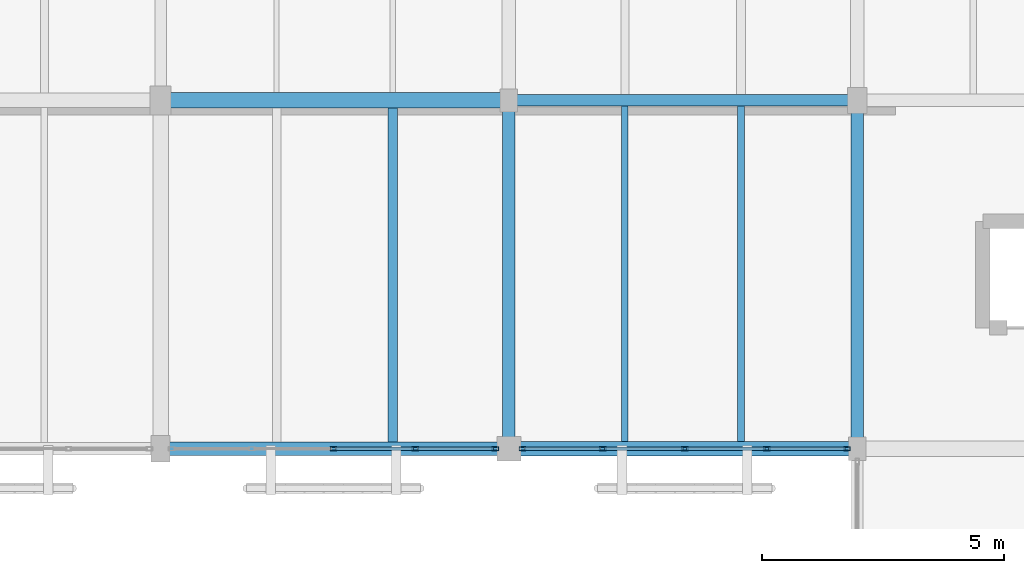
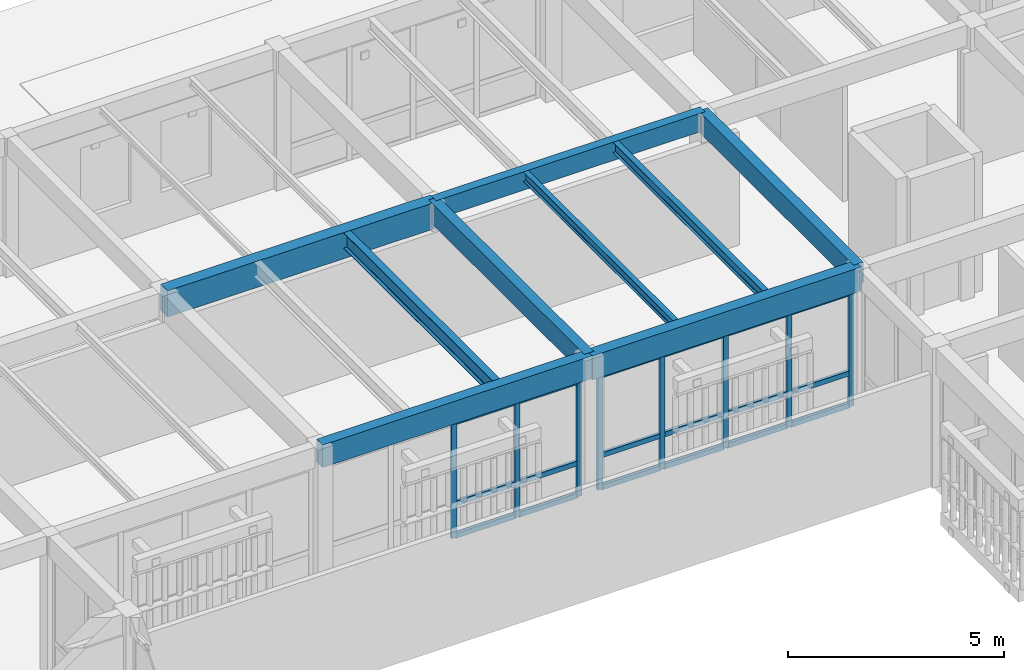
# One storey, part 66 of 112: 26 members, 9 beams, 2 elements without a shape of their own.
"""IFC4 building model written with IfcOpenShell, lengths in metres."""

import ifcopenshell
import ifcopenshell.guid

model = None  # the IFC model being written
_history = None  # IfcOwnerHistory: only IFC2X3 demands one
_inside = {}  # id of a spatial element -> (the spatial element, [elements in it])
_under = {}  # id of a project, library or spatial element -> (it, [spatial elements below it])
_declared = {}  # id of a project -> (the project, [libraries it declares])
_typed = {}  # id of a type object -> (the type object, [elements of that type])
_made_of = {}  # id of a material, layer set ... -> (it, [elements and type objects made of it])


def new_model(schema):
    """Start an empty IFC model of exactly this schema.

    Asked for "IFC4X3", IfcOpenShell would pick the latest addendum, in which some entities
    have other attributes; the version numbers below select the first issue.
    IFC2X3 requires an IfcOwnerHistory on every rooted entity: one is made here for all.
    """
    global model, _history
    if schema == "IFC4X3":
        model = ifcopenshell.file(schema_version=(4, 3, 0, 0))
    else:
        model = ifcopenshell.file(schema=schema)
    _inside.clear()
    _under.clear()
    _declared.clear()
    _typed.clear()
    _made_of.clear()
    _history = None
    if model.schema == "IFC2X3":
        org = make("IfcOrganization", Name="unknown")
        user = make(
            "IfcPersonAndOrganization",
            ThePerson=make("IfcPerson", FamilyName="unknown"),
            TheOrganization=org,
        )
        app = make(
            "IfcApplication",
            ApplicationDeveloper=org,
            Version="unknown",
            ApplicationFullName="unknown",
            ApplicationIdentifier="unknown",
        )
        _history = make(
            "IfcOwnerHistory",
            OwningUser=user,
            OwningApplication=app,
            ChangeAction="ADDED",
            CreationDate=0,
        )
    return model


def make(cls, **values):
    """One entity of the class cls with the attributes given. An attribute that is None is left unset."""
    return model.create_entity(
        cls, **{name: value for name, value in values.items() if value is not None}
    )


def rooted(cls, **values):
    """An entity with a GlobalId (a new one), such as an element, a storey or a relation."""
    return make(cls, GlobalId=ifcopenshell.guid.new(), OwnerHistory=_history, **values)


def si_unit(unit_type, name, prefix=None):
    """IfcSIUnit, for example si_unit("LENGTHUNIT", "METRE", prefix="MILLI")."""
    return make("IfcSIUnit", UnitType=unit_type, Prefix=prefix, Name=name)


def assignment(units):
    """IfcUnitAssignment: the units of a project."""
    return None if units is None else make("IfcUnitAssignment", Units=units)


def point(xyz):
    """IfcCartesianPoint."""
    return None if xyz is None else make("IfcCartesianPoint", Coordinates=xyz)


def direction(xyz):
    """IfcDirection."""
    return None if xyz is None else make("IfcDirection", DirectionRatios=xyz)


def frame(location, z_axis=None, x_axis=None):
    """IfcAxis2Placement3D, a coordinate frame: its origin and axes. An axis left out is left unset."""
    return make(
        "IfcAxis2Placement3D",
        Location=point(location),
        Axis=direction(z_axis),
        RefDirection=direction(x_axis),
    )


def frame_2d(location, x_axis=None):
    """IfcAxis2Placement2D, a coordinate frame in the plane: its origin and x axis."""
    return make(
        "IfcAxis2Placement2D", Location=point(location), RefDirection=direction(x_axis)
    )


def origin():
    """The frame at (0, 0, 0) with its axes left unset."""
    return frame((0.0, 0.0, 0.0))


def origin_2d():
    """The frame at (0, 0) in the plane with its x axis left unset."""
    return frame_2d((0.0, 0.0))


def place(relative_to, where):
    """IfcLocalPlacement: puts the frame where relative to a parent placement (None: the world)."""
    return make(
        "IfcLocalPlacement", PlacementRelTo=relative_to, RelativePlacement=where
    )


def context(
    kind, dimensions, precision=None, world=None, true_north=None, identifier=None
):
    """IfcGeometricRepresentationContext, for example the 3D "Model" context."""
    return make(
        "IfcGeometricRepresentationContext",
        ContextIdentifier=identifier,
        ContextType=kind,
        CoordinateSpaceDimension=dimensions,
        Precision=precision,
        WorldCoordinateSystem=world,
        TrueNorth=true_north,
    )


def subcontext(parent, identifier, kind, view, scale=None):
    """IfcGeometricRepresentationSubContext, for example "Body" below "Model"."""
    return make(
        "IfcGeometricRepresentationSubContext",
        ContextIdentifier=identifier,
        ContextType=kind,
        ParentContext=parent,
        TargetScale=scale,
        TargetView=view,
    )


def project(units=None, contexts=None):
    """IfcProject with its units and contexts."""
    return rooted(
        "IfcProject",
        Name="project",
        RepresentationContexts=contexts,
        UnitsInContext=assignment(units),
    )


def spatial(cls, under=None, at=None, **own):
    """A site, building, storey or space (cls), placed at a placement, below another one or the project."""
    s = rooted(cls, ObjectPlacement=at, **own)
    if under is not None:
        _under.setdefault(under.id(), (under, []))[1].append(s)
    return s


def profile(cls, at=None, kind="AREA", **sizes):
    """A parametric profile (cls). Its sizes go by their IFC names, for example OverallWidth=200.0."""
    return make(cls, ProfileType=kind, Position=at, **sizes)


def rectangle(**sizes):
    """IfcRectangleProfileDef."""
    return profile("IfcRectangleProfileDef", **sizes)


def hollow_rectangle(**sizes):
    """IfcRectangleHollowProfileDef."""
    return profile("IfcRectangleHollowProfileDef", **sizes)


def i_section(**sizes):
    """IfcIShapeProfileDef."""
    return profile("IfcIShapeProfileDef", **sizes)


def extrude(swept, where, along, depth):
    """IfcExtrudedAreaSolid: the profile swept, set in the frame where, extruded along a direction by depth."""
    return make(
        "IfcExtrudedAreaSolid",
        SweptArea=swept,
        Position=where,
        ExtrudedDirection=direction(along),
        Depth=depth,
    )


def shape(context_of_items, identifier, shape_type, items):
    """IfcShapeRepresentation: the items that make up one representation, for example the "Body"."""
    return make(
        "IfcShapeRepresentation",
        ContextOfItems=context_of_items,
        RepresentationIdentifier=identifier,
        RepresentationType=shape_type,
        Items=items,
    )


def material(Name=None, Category=None):
    """IfcMaterial."""
    return make("IfcMaterial", Name=Name, Category=Category)


def layer(
    of_material, thickness, ventilated=None, Name=None, Category=None, Priority=None
):
    """IfcMaterialLayer: one layer of a wall or slab, of a material (None: an air gap)."""
    return make(
        "IfcMaterialLayer",
        Material=of_material,
        LayerThickness=thickness,
        IsVentilated=ventilated,
        Name=Name,
        Category=Category,
        Priority=Priority,
    )


def layer_set(layers, Name=None):
    """IfcMaterialLayerSet."""
    return make("IfcMaterialLayerSet", MaterialLayers=layers, LayerSetName=Name)


def material_profile(
    of_material, cross_section, Name=None, Category=None, Priority=None
):
    """IfcMaterialProfile: a cross section and its material."""
    return make(
        "IfcMaterialProfile",
        Name=Name,
        Material=of_material,
        Profile=cross_section,
        Priority=Priority,
        Category=Category,
    )


def profile_set(profiles, Name=None, composite=None):
    """IfcMaterialProfileSet."""
    return make(
        "IfcMaterialProfileSet",
        Name=Name,
        MaterialProfiles=profiles,
        CompositeProfile=composite,
    )


def made_of(thing, what):
    """Note that an element or type object is made of a material, layer set ...; save() writes the relation."""
    if what is not None:
        _made_of.setdefault(what.id(), (what, []))[1].append(thing)
    return thing


def type_object(cls, material=None, **own):
    """A type object (cls), such as IfcWallType, which elements share."""
    return made_of(rooted(cls, **own), material)


def element(
    cls,
    number,
    at=None,
    inside=None,
    cuts=None,
    type_object=None,
    material=None,
    context=None,
    identifier="Body",
    shape_type=None,
    held_by="IfcProductDefinitionShape",
    body=None,
    shapes=None,
    **own,
):
    """One element of the class cls, such as IfcWall. Its Tag is "e" and its number.

    at: its placement. inside: the storey or other place that contains it. cuts: it is an
    opening in that element (IfcRelVoidsElement). A single representation is given by context,
    identifier, shape_type and body (its items); several are given by shapes. held_by: the class
    of the entity that holds the representations. save() writes the other relations.
    """
    e = rooted(cls, Tag="e%d" % number, ObjectPlacement=at, **own)
    if body is not None:
        shapes = [shape(context, identifier, shape_type, body)]
    if shapes is not None:
        e.Representation = make(held_by, Representations=shapes)
    if inside is not None:
        _inside.setdefault(inside.id(), (inside, []))[1].append(e)
    if cuts is not None:
        rooted(
            "IfcRelVoidsElement", RelatingBuildingElement=cuts, RelatedOpeningElement=e
        )
    if type_object is not None:
        _typed.setdefault(type_object.id(), (type_object, []))[1].append(e)
    return made_of(e, material)


def aggregate(whole, parts):
    """IfcRelAggregates: a whole, such as a stair, and the parts it consists of."""
    return rooted("IfcRelAggregates", RelatingObject=whole, RelatedObjects=parts)


def save(model, path):
    """Write the relations noted so far, then the file.

    IfcRelAggregates (storeys below a building ...), IfcRelContainedInSpatialStructure (elements
    in a storey), IfcRelDefinesByType, IfcRelAssociatesMaterial and IfcRelDeclares: one each for
    every whole, place, type object, material and project.
    """
    for whole, parts in _under.values():
        aggregate(whole, parts)
    for where, things in _inside.values():
        rooted(
            "IfcRelContainedInSpatialStructure",
            RelatedElements=things,
            RelatingStructure=where,
        )
    for kind, things in _typed.values():
        rooted("IfcRelDefinesByType", RelatedObjects=things, RelatingType=kind)
    for what, things in _made_of.values():
        rooted("IfcRelAssociatesMaterial", RelatedObjects=things, RelatingMaterial=what)
    for by, libraries in _declared.values():
        rooted("IfcRelDeclares", RelatingContext=by, RelatedDefinitions=libraries)
    model.write(path)


model = new_model("IFC4")

# Units and contexts
model_context = context("Model", 3, precision=1e-05, world=origin(), true_north=direction((0.0, 1.0)))
body_context = subcontext(model_context, "Body", "Model", "MODEL_VIEW")
ifc_project = project(units=[si_unit("LENGTHUNIT", "METRE"), si_unit("AREAUNIT", "SQUARE_METRE"), si_unit("VOLUMEUNIT", "CUBIC_METRE"), si_unit("PLANEANGLEUNIT", "RADIAN"), si_unit("MASSUNIT", "GRAM", prefix="KILO")], contexts=[model_context])

# Site, building, storey
site_placement = place(None, origin())
site = spatial("IfcSite", under=ifc_project, at=site_placement, CompositionType="ELEMENT")
building_placement = place(site_placement, origin())
building = spatial("IfcBuilding", under=site, at=building_placement, Name="Mazaris Harbour Polytechnic", CompositionType="ELEMENT")
storey_placement = place(building_placement, frame((0.0, 0.0, 13.800048828125)))
storey = spatial("IfcBuildingStorey", under=building, at=storey_placement, Name="L03", CompositionType="ELEMENT", Elevation=13.800048828125)

# Curtain wall, members
ifc_material_1 = material(Name="Anodised Bronze Aluminium and Low-E Glass", Category="aluminium")
ifc_layer = layer(ifc_material_1, 0.169921875, Name="Anodised Bronze Aluminium and Low-E Glass")
ifc_layer_set = layer_set([ifc_layer], Name="Anodised Bronze Aluminium and Low-E Glass")
curtain_wall_type = type_object("IfcCurtainWallType", Name="Studio North-Light Curtain Wall", PredefinedType="NOTDEFINED", material=ifc_layer_set)
curtain_wall_1_placement = place(storey_placement, origin())
curtain_wall_1 = element("IfcCurtainWall", 1, at=curtain_wall_1_placement, inside=storey, type_object=curtain_wall_type, Name="V5 L03 Curtain Wall 261", PredefinedType="NOTDEFINED")
ifc_material_2 = material(Name="Anodised Bronze Steel S355", Category="steel")
ifc_material_profile_1 = material_profile(ifc_material_2, hollow_rectangle(XDim=0.080078125, YDim=0.139892578125, WallThickness=0.00634765625, at=origin_2d()), Name="RHS 80x140x6.3")
ifc_profile_set_1 = profile_set([ifc_material_profile_1], Name="Anodised Bronze Steel S355")
member_type_1 = type_object("IfcMemberType", Name="Curtain Mullion RHS80x140", PredefinedType="MULLION", material=ifc_profile_set_1)
member_1_placement = place(storey_placement, frame((150.91796875, 86.39990234375, 0.0), z_axis=(0.0, 0.0, 1.0), x_axis=(0.0, -1.0, 0.0)))
member_1 = element("IfcMember", 2, at=member_1_placement, type_object=member_type_1, Name="CW-03 mullion 1", PredefinedType="MULLION", context=body_context, shape_type="SweptSolid", body=[
    extrude(hollow_rectangle(XDim=0.080078125, YDim=0.139892578125, WallThickness=0.00634765625, at=origin_2d()), origin(), (0.0, 0.0, 1.0), 3.284912109375),
])
member_2_placement = place(storey_placement, frame((149.2666015625, 86.39990234375, 0.0), z_axis=(0.0, 0.0, 1.0), x_axis=(0.0, -1.0, 0.0)))
member_2 = element("IfcMember", 3, at=member_2_placement, type_object=member_type_1, Name="CW-03 mullion 2", PredefinedType="MULLION", context=body_context, shape_type="SweptSolid", body=[
    extrude(hollow_rectangle(XDim=0.080078125, YDim=0.139892578125, WallThickness=0.00634765625, at=origin_2d()), origin(), (0.0, 0.0, 1.0), 3.284912109375),
])
member_3_placement = place(storey_placement, frame((147.574951171875, 86.39990234375, 0.0), z_axis=(0.0, 0.0, 1.0), x_axis=(0.0, -1.0, 0.0)))
member_3 = element("IfcMember", 4, at=member_3_placement, type_object=member_type_1, Name="CW-03 mullion 3", PredefinedType="MULLION", context=body_context, shape_type="SweptSolid", body=[
    extrude(hollow_rectangle(XDim=0.080078125, YDim=0.139892578125, WallThickness=0.00634765625, at=origin_2d()), origin(), (0.0, 0.0, 1.0), 3.284912109375),
])

curtain_wall_2_placement = place(storey_placement, origin())
curtain_wall_2 = element("IfcCurtainWall", 5, at=curtain_wall_2_placement, inside=storey, type_object=curtain_wall_type, Name="V5 L03 Curtain Wall 262", PredefinedType="NOTDEFINED")
member_4_placement = place(storey_placement, frame((158.18798828125, 86.39990234375, 0.0), z_axis=(0.0, 0.0, 1.0), x_axis=(0.0, -1.0, 0.0)))
member_4 = element("IfcMember", 6, at=member_4_placement, type_object=member_type_1, Name="CW-03 mullion 1", PredefinedType="MULLION", context=body_context, shape_type="SweptSolid", body=[
    extrude(hollow_rectangle(XDim=0.080078125, YDim=0.139892578125, WallThickness=0.00634765625, at=origin_2d()), origin(), (0.0, 0.0, 1.0), 3.244873046875),
])
member_5_placement = place(storey_placement, frame((156.531494140625, 86.39990234375, 0.0), z_axis=(0.0, 0.0, 1.0), x_axis=(0.0, -1.0, 0.0)))
member_5 = element("IfcMember", 7, at=member_5_placement, type_object=member_type_1, Name="CW-03 mullion 2", PredefinedType="MULLION", context=body_context, shape_type="SweptSolid", body=[
    extrude(hollow_rectangle(XDim=0.080078125, YDim=0.139892578125, WallThickness=0.00634765625, at=origin_2d()), origin(), (0.0, 0.0, 1.0), 3.244873046875),
])
member_6_placement = place(storey_placement, frame((154.8349609375, 86.39990234375, 0.0), z_axis=(0.0, 0.0, 1.0), x_axis=(0.0, -1.0, 0.0)))
member_6 = element("IfcMember", 8, at=member_6_placement, type_object=member_type_1, Name="CW-03 mullion 3", PredefinedType="MULLION", context=body_context, shape_type="SweptSolid", body=[
    extrude(hollow_rectangle(XDim=0.080078125, YDim=0.139892578125, WallThickness=0.00634765625, at=origin_2d()), origin(), (0.0, 0.0, 1.0), 3.244873046875),
])
member_7_placement = place(storey_placement, frame((153.138427734375, 86.39990234375, 0.0), z_axis=(0.0, 0.0, 1.0), x_axis=(0.0, -1.0, 0.0)))
member_7 = element("IfcMember", 9, at=member_7_placement, type_object=member_type_1, Name="CW-03 mullion 4", PredefinedType="MULLION", context=body_context, shape_type="SweptSolid", body=[
    extrude(hollow_rectangle(XDim=0.080078125, YDim=0.139892578125, WallThickness=0.00634765625, at=origin_2d()), origin(), (0.0, 0.0, 1.0), 3.244873046875),
])
member_8_placement = place(storey_placement, frame((151.48193359375, 86.39990234375, 0.0), z_axis=(0.0, 0.0, 1.0), x_axis=(0.0, -1.0, 0.0)))
member_8 = element("IfcMember", 10, at=member_8_placement, type_object=member_type_1, Name="CW-03 mullion 5", PredefinedType="MULLION", context=body_context, shape_type="SweptSolid", body=[
    extrude(hollow_rectangle(XDim=0.080078125, YDim=0.139892578125, WallThickness=0.00634765625, at=origin_2d()), origin(), (0.0, 0.0, 1.0), 3.244873046875),
])

# Member
ifc_material_3 = material(Name="Anodised Bronze Steel S355", Category="steel")
ifc_material_profile_2 = material_profile(ifc_material_3, hollow_rectangle(XDim=0.080078125, YDim=0.139892578125, WallThickness=0.00634765625, at=origin_2d()), Name="RHS 80x140x6.3")
ifc_profile_set_2 = profile_set([ifc_material_profile_2], Name="Anodised Bronze Steel S355")
member_type_2 = type_object("IfcMemberType", Name="Curtain Transom RHS80x140", PredefinedType="USERDEFINED", material=ifc_profile_set_2)
member_9_placement = place(storey_placement, frame((150.8779296875, 86.39990234375, 0.0400390625), z_axis=(-1.0, 0.0, 0.0), x_axis=(0.0, -1.0, 0.0)))
member_9 = element("IfcMember", 11, at=member_9_placement, type_object=member_type_2, Name="CW-03 transom 1.1", ObjectType="TRANSOM", PredefinedType="USERDEFINED", context=body_context, shape_type="SweptSolid", body=[
    extrude(hollow_rectangle(XDim=0.080078125, YDim=0.139892578125, WallThickness=0.00634765625, at=origin_2d()), origin(), (0.0, 0.0, 1.0), 1.571533203125),
])

member_10_placement = place(storey_placement, frame((150.8779296875, 86.39990234375, 0.949951171875), z_axis=(-1.0, 0.0, 0.0), x_axis=(0.0, -1.0, 0.0)))
member_10 = element("IfcMember", 12, at=member_10_placement, type_object=member_type_2, Name="CW-03 transom 1.2", ObjectType="TRANSOM", PredefinedType="USERDEFINED", context=body_context, shape_type="SweptSolid", body=[
    extrude(hollow_rectangle(XDim=0.080078125, YDim=0.139892578125, WallThickness=0.00634765625, at=origin_2d()), origin(), (0.0, 0.0, 1.0), 1.571533203125),
])

member_11_placement = place(storey_placement, frame((150.8779296875, 86.39990234375, 3.244873046875), z_axis=(-1.0, 0.0, 0.0), x_axis=(0.0, -1.0, 0.0)))
member_11 = element("IfcMember", 13, at=member_11_placement, type_object=member_type_2, Name="CW-03 transom 1.3", ObjectType="TRANSOM", PredefinedType="USERDEFINED", context=body_context, shape_type="SweptSolid", body=[
    extrude(hollow_rectangle(XDim=0.080078125, YDim=0.139892578125, WallThickness=0.00634765625, at=origin_2d()), origin(), (0.0, 0.0, 1.0), 1.571533203125),
])

member_12_placement = place(storey_placement, frame((149.2265625, 86.39990234375, 0.0400390625), z_axis=(-1.0, 0.0, 0.0), x_axis=(0.0, -1.0, 0.0)))
member_12 = element("IfcMember", 14, at=member_12_placement, type_object=member_type_2, Name="CW-03 transom 2.1", ObjectType="TRANSOM", PredefinedType="USERDEFINED", context=body_context, shape_type="SweptSolid", body=[
    extrude(hollow_rectangle(XDim=0.080078125, YDim=0.139892578125, WallThickness=0.00634765625, at=origin_2d()), origin(), (0.0, 0.0, 1.0), 1.611572265625),
])

member_13_placement = place(storey_placement, frame((149.2265625, 86.39990234375, 0.949951171875), z_axis=(-1.0, 0.0, 0.0), x_axis=(0.0, -1.0, 0.0)))
member_13 = element("IfcMember", 15, at=member_13_placement, type_object=member_type_2, Name="CW-03 transom 2.2", ObjectType="TRANSOM", PredefinedType="USERDEFINED", context=body_context, shape_type="SweptSolid", body=[
    extrude(hollow_rectangle(XDim=0.080078125, YDim=0.139892578125, WallThickness=0.00634765625, at=origin_2d()), origin(), (0.0, 0.0, 1.0), 1.611572265625),
])

member_14_placement = place(storey_placement, frame((149.2265625, 86.39990234375, 3.244873046875), z_axis=(-1.0, 0.0, 0.0), x_axis=(0.0, -1.0, 0.0)))
member_14 = element("IfcMember", 16, at=member_14_placement, type_object=member_type_2, Name="CW-03 transom 2.3", ObjectType="TRANSOM", PredefinedType="USERDEFINED", context=body_context, shape_type="SweptSolid", body=[
    extrude(hollow_rectangle(XDim=0.080078125, YDim=0.139892578125, WallThickness=0.00634765625, at=origin_2d()), origin(), (0.0, 0.0, 1.0), 1.611572265625),
])

aggregate(curtain_wall_1, [member_1, member_2, member_3, member_9, member_10, member_11, member_12, member_13, member_14])

member_15_placement = place(storey_placement, frame((158.14794921875, 86.39990234375, 0.0400390625), z_axis=(-1.0, 0.0, 0.0), x_axis=(0.0, -1.0, 0.0)))
member_15 = element("IfcMember", 17, at=member_15_placement, type_object=member_type_2, Name="CW-03 transom 1.1", ObjectType="TRANSOM", PredefinedType="USERDEFINED", context=body_context, shape_type="SweptSolid", body=[
    extrude(hollow_rectangle(XDim=0.080078125, YDim=0.139892578125, WallThickness=0.00634765625, at=origin_2d()), origin(), (0.0, 0.0, 1.0), 1.576416015625),
])

member_16_placement = place(storey_placement, frame((158.14794921875, 86.39990234375, 0.949951171875), z_axis=(-1.0, 0.0, 0.0), x_axis=(0.0, -1.0, 0.0)))
member_16 = element("IfcMember", 18, at=member_16_placement, type_object=member_type_2, Name="CW-03 transom 1.2", ObjectType="TRANSOM", PredefinedType="USERDEFINED", context=body_context, shape_type="SweptSolid", body=[
    extrude(hollow_rectangle(XDim=0.080078125, YDim=0.139892578125, WallThickness=0.00634765625, at=origin_2d()), origin(), (0.0, 0.0, 1.0), 1.576416015625),
])

member_17_placement = place(storey_placement, frame((158.14794921875, 86.39990234375, 3.204833984375), z_axis=(-1.0, 0.0, 0.0), x_axis=(0.0, -1.0, 0.0)))
member_17 = element("IfcMember", 19, at=member_17_placement, type_object=member_type_2, Name="CW-03 transom 1.3", ObjectType="TRANSOM", PredefinedType="USERDEFINED", context=body_context, shape_type="SweptSolid", body=[
    extrude(hollow_rectangle(XDim=0.080078125, YDim=0.139892578125, WallThickness=0.00634765625, at=origin_2d()), origin(), (0.0, 0.0, 1.0), 1.576416015625),
])

member_18_placement = place(storey_placement, frame((156.491455078125, 86.39990234375, 0.0400390625), z_axis=(-1.0, 0.0, 0.0), x_axis=(0.0, -1.0, 0.0)))
member_18 = element("IfcMember", 20, at=member_18_placement, type_object=member_type_2, Name="CW-03 transom 2.1", ObjectType="TRANSOM", PredefinedType="USERDEFINED", context=body_context, shape_type="SweptSolid", body=[
    extrude(hollow_rectangle(XDim=0.080078125, YDim=0.139892578125, WallThickness=0.00634765625, at=origin_2d()), origin(), (0.0, 0.0, 1.0), 1.616455078125),
])

member_19_placement = place(storey_placement, frame((156.491455078125, 86.39990234375, 0.949951171875), z_axis=(-1.0, 0.0, 0.0), x_axis=(0.0, -1.0, 0.0)))
member_19 = element("IfcMember", 21, at=member_19_placement, type_object=member_type_2, Name="CW-03 transom 2.2", ObjectType="TRANSOM", PredefinedType="USERDEFINED", context=body_context, shape_type="SweptSolid", body=[
    extrude(hollow_rectangle(XDim=0.080078125, YDim=0.139892578125, WallThickness=0.00634765625, at=origin_2d()), origin(), (0.0, 0.0, 1.0), 1.616455078125),
])

member_20_placement = place(storey_placement, frame((156.491455078125, 86.39990234375, 3.204833984375), z_axis=(-1.0, 0.0, 0.0), x_axis=(0.0, -1.0, 0.0)))
member_20 = element("IfcMember", 22, at=member_20_placement, type_object=member_type_2, Name="CW-03 transom 2.3", ObjectType="TRANSOM", PredefinedType="USERDEFINED", context=body_context, shape_type="SweptSolid", body=[
    extrude(hollow_rectangle(XDim=0.080078125, YDim=0.139892578125, WallThickness=0.00634765625, at=origin_2d()), origin(), (0.0, 0.0, 1.0), 1.616455078125),
])

member_21_placement = place(storey_placement, frame((154.794921875, 86.39990234375, 0.0400390625), z_axis=(-1.0, 0.0, 0.0), x_axis=(0.0, -1.0, 0.0)))
member_21 = element("IfcMember", 23, at=member_21_placement, type_object=member_type_2, Name="CW-03 transom 3.1", ObjectType="TRANSOM", PredefinedType="USERDEFINED", context=body_context, shape_type="SweptSolid", body=[
    extrude(hollow_rectangle(XDim=0.080078125, YDim=0.139892578125, WallThickness=0.00634765625, at=origin_2d()), origin(), (0.0, 0.0, 1.0), 1.616455078125),
])

member_22_placement = place(storey_placement, frame((154.794921875, 86.39990234375, 0.949951171875), z_axis=(-1.0, 0.0, 0.0), x_axis=(0.0, -1.0, 0.0)))
member_22 = element("IfcMember", 24, at=member_22_placement, type_object=member_type_2, Name="CW-03 transom 3.2", ObjectType="TRANSOM", PredefinedType="USERDEFINED", context=body_context, shape_type="SweptSolid", body=[
    extrude(hollow_rectangle(XDim=0.080078125, YDim=0.139892578125, WallThickness=0.00634765625, at=origin_2d()), origin(), (0.0, 0.0, 1.0), 1.616455078125),
])

member_23_placement = place(storey_placement, frame((154.794921875, 86.39990234375, 3.204833984375), z_axis=(-1.0, 0.0, 0.0), x_axis=(0.0, -1.0, 0.0)))
member_23 = element("IfcMember", 25, at=member_23_placement, type_object=member_type_2, Name="CW-03 transom 3.3", ObjectType="TRANSOM", PredefinedType="USERDEFINED", context=body_context, shape_type="SweptSolid", body=[
    extrude(hollow_rectangle(XDim=0.080078125, YDim=0.139892578125, WallThickness=0.00634765625, at=origin_2d()), origin(), (0.0, 0.0, 1.0), 1.616455078125),
])

member_24_placement = place(storey_placement, frame((153.098388671875, 86.39990234375, 0.0400390625), z_axis=(-1.0, 0.0, 0.0), x_axis=(0.0, -1.0, 0.0)))
member_24 = element("IfcMember", 26, at=member_24_placement, type_object=member_type_2, Name="CW-03 transom 4.1", ObjectType="TRANSOM", PredefinedType="USERDEFINED", context=body_context, shape_type="SweptSolid", body=[
    extrude(hollow_rectangle(XDim=0.080078125, YDim=0.139892578125, WallThickness=0.00634765625, at=origin_2d()), origin(), (0.0, 0.0, 1.0), 1.576416015625),
])

member_25_placement = place(storey_placement, frame((153.098388671875, 86.39990234375, 0.949951171875), z_axis=(-1.0, 0.0, 0.0), x_axis=(0.0, -1.0, 0.0)))
member_25 = element("IfcMember", 27, at=member_25_placement, type_object=member_type_2, Name="CW-03 transom 4.2", ObjectType="TRANSOM", PredefinedType="USERDEFINED", context=body_context, shape_type="SweptSolid", body=[
    extrude(hollow_rectangle(XDim=0.080078125, YDim=0.139892578125, WallThickness=0.00634765625, at=origin_2d()), origin(), (0.0, 0.0, 1.0), 1.576416015625),
])

member_26_placement = place(storey_placement, frame((153.098388671875, 86.39990234375, 3.204833984375), z_axis=(-1.0, 0.0, 0.0), x_axis=(0.0, -1.0, 0.0)))
member_26 = element("IfcMember", 28, at=member_26_placement, type_object=member_type_2, Name="CW-03 transom 4.3", ObjectType="TRANSOM", PredefinedType="USERDEFINED", context=body_context, shape_type="SweptSolid", body=[
    extrude(hollow_rectangle(XDim=0.080078125, YDim=0.139892578125, WallThickness=0.00634765625, at=origin_2d()), origin(), (0.0, 0.0, 1.0), 1.576416015625),
])

aggregate(curtain_wall_2, [member_4, member_5, member_6, member_7, member_8, member_15, member_16, member_17, member_18, member_19, member_20, member_21, member_22, member_23, member_24, member_25, member_26])

# Beams
ifc_material_4 = material(Name="Glulam GL32h", Category="wood")
ifc_material_profile_3 = material_profile(ifc_material_4, rectangle(XDim=0.239990234375, YDim=0.52001953125, at=origin_2d()), Name="RECT240x520")
ifc_profile_set_3 = profile_set([ifc_material_profile_3], Name="Glulam GL32h")
beam_type_1 = type_object("IfcBeamType", Name="Glulam Girder 240x520", PredefinedType="BEAM", material=ifc_profile_set_3)
beam_1_placement = place(storey_placement, frame((151.199951171875, 93.60009765625, 3.675048828125), z_axis=(1.0, 0.0, 0.0), x_axis=(0.0, 1.0, 0.0)))
element("IfcBeam", 29, at=beam_1_placement, inside=storey, type_object=beam_type_1, Name="V5 L03 Girder 3320", PredefinedType="BEAM", context=body_context, shape_type="SweptSolid", body=[
    extrude(rectangle(XDim=0.239990234375, YDim=0.52001953125, at=origin_2d()), origin(), (0.0, 0.0, 1.0), 7.199951171875),
])
ifc_material_5 = material(Name="Glulam GL32h", Category="wood")
ifc_material_profile_4 = material_profile(ifc_material_5, rectangle(XDim=0.260009765625, YDim=0.580078125, at=origin_2d()), Name="RECT260x580")
ifc_profile_set_4 = profile_set([ifc_material_profile_4], Name="Glulam GL32h")
beam_type_2 = type_object("IfcBeamType", Name="Glulam Girder 260x580", PredefinedType="BEAM", material=ifc_profile_set_4)
for number, where, z_axis, x_axis, name in (
    (30, (151.199951171875, 86.39990234375, 3.64501953125), (0.0, 1.0, 0.0), (-1.0, 0.0, 0.0), "V5 L03 Tie Girder 3346"),
    (31, (158.39990234375, 86.39990234375, 3.64501953125), (0.0, 1.0, 0.0), (-1.0, 0.0, 0.0), "V5 L03 Tie Girder 3351"),
):
    element("IfcBeam", number, at=place(storey_placement, frame(where, z_axis=z_axis, x_axis=x_axis)), inside=storey, type_object=beam_type_2, Name=name, PredefinedType="BEAM", context=body_context, shape_type="SweptSolid", body=[
        extrude(rectangle(XDim=0.260009765625, YDim=0.580078125, at=origin_2d()), origin(), (0.0, 0.0, 1.0), 7.2001953125),
    ])
ifc_material_6 = material(Name="Glulam GL32h", Category="wood")
ifc_material_profile_5 = material_profile(ifc_material_6, rectangle(XDim=0.280029296875, YDim=0.639892578125, at=origin_2d()), Name="RECT280x640")
ifc_profile_set_5 = profile_set([ifc_material_profile_5], Name="Glulam GL32h")
beam_type_3 = type_object("IfcBeamType", Name="Glulam Girder 280x640", PredefinedType="BEAM", material=ifc_profile_set_5)
beam_2_placement = place(storey_placement, frame((144.0, 86.39990234375, 3.614990234375), z_axis=(1.0, 0.0, 0.0), x_axis=(0.0, 1.0, 0.0)))
element("IfcBeam", 32, at=beam_2_placement, inside=storey, type_object=beam_type_3, Name="V5 L03 Girder 3312", PredefinedType="BEAM", context=body_context, shape_type="SweptSolid", body=[
    extrude(rectangle(XDim=0.280029296875, YDim=0.639892578125, at=origin_2d()), origin(), (0.0, 0.0, 1.0), 7.199951171875),
])
ifc_material_7 = material(Name="Glulam GL32h", Category="wood")
ifc_material_profile_6 = material_profile(ifc_material_7, rectangle(XDim=0.300048828125, YDim=0.679931640625, at=origin_2d()), Name="RECT300x680")
ifc_profile_set_6 = profile_set([ifc_material_profile_6], Name="Glulam GL32h")
beam_type_4 = type_object("IfcBeamType", Name="Glulam Girder 300x680", PredefinedType="BEAM", material=ifc_profile_set_6)
beam_3_placement = place(storey_placement, frame((151.199951171875, 86.39990234375, 3.594970703125), z_axis=(1.0, 0.0, 0.0), x_axis=(0.0, 1.0, 0.0)))
element("IfcBeam", 33, at=beam_3_placement, inside=storey, type_object=beam_type_4, Name="V5 L03 Girder 3313", PredefinedType="BEAM", context=body_context, shape_type="SweptSolid", body=[
    extrude(rectangle(XDim=0.300048828125, YDim=0.679931640625, at=origin_2d()), origin(), (0.0, 0.0, 1.0), 7.199951171875),
])
ifc_material_8 = material(Name="Glulam GL32h", Category="wood")
ifc_material_profile_7 = material_profile(ifc_material_8, rectangle(XDim=0.320068359375, YDim=0.739990234375, at=origin_2d()), Name="RECT320x740")
ifc_profile_set_7 = profile_set([ifc_material_profile_7], Name="Glulam GL32h")
beam_type_5 = type_object("IfcBeamType", Name="Glulam Girder 320x740", PredefinedType="BEAM", material=ifc_profile_set_7)
beam_4_placement = place(storey_placement, frame((144.0, 93.60009765625, 3.56494140625), z_axis=(1.0, 0.0, 0.0), x_axis=(0.0, 1.0, 0.0)))
element("IfcBeam", 34, at=beam_4_placement, inside=storey, type_object=beam_type_5, Name="V5 L03 Girder 3319", PredefinedType="BEAM", context=body_context, shape_type="SweptSolid", body=[
    extrude(rectangle(XDim=0.320068359375, YDim=0.739990234375, at=origin_2d()), origin(), (0.0, 0.0, 1.0), 7.199951171875),
])
ifc_material_9 = material(Name="Steel S355", Category="steel")
ifc_material_profile_8 = material_profile(ifc_material_9, i_section(OverallWidth=0.135009765625, OverallDepth=0.27001953125, WebThickness=0.006591796875, FlangeThickness=0.01025390625, FilletRadius=0.014892578125, at=origin_2d()), Name="IPE 270")
ifc_profile_set_8 = profile_set([ifc_material_profile_8], Name="Steel S355")
beam_type_6 = type_object("IfcBeamType", Name="Steel Joist IPE270", PredefinedType="JOIST", material=ifc_profile_set_8)
beam_5_placement = place(storey_placement, frame((153.60009765625, 86.550048828125, 3.800048828125), z_axis=(0.0, 1.0, 0.0), x_axis=(-1.0, 0.0, 0.0)))
element("IfcBeam", 35, at=beam_5_placement, inside=storey, type_object=beam_type_6, Name="V5 L03 Floor Joist 3383", PredefinedType="JOIST", context=body_context, shape_type="SweptSolid", body=[
    extrude(i_section(OverallWidth=0.135009765625, OverallDepth=0.27001953125, WebThickness=0.006591796875, FlangeThickness=0.01025390625, FilletRadius=0.014892578125, at=origin_2d()), origin(), (0.0, 0.0, 1.0), 6.929931640625),
])
ifc_material_10 = material(Name="Steel S355", Category="steel")
ifc_material_profile_9 = material_profile(ifc_material_10, i_section(OverallWidth=0.14990234375, OverallDepth=0.300048828125, WebThickness=0.007080078125, FlangeThickness=0.0107421875, FilletRadius=0.014892578125, at=origin_2d()), Name="IPE 300")
ifc_profile_set_9 = profile_set([ifc_material_profile_9], Name="Steel S355")
beam_type_7 = type_object("IfcBeamType", Name="Steel Joist IPE300", PredefinedType="JOIST", material=ifc_profile_set_9)
beam_6_placement = place(storey_placement, frame((156.0, 86.550048828125, 3.784912109375), z_axis=(0.0, 1.0, 0.0), x_axis=(-1.0, 0.0, 0.0)))
element("IfcBeam", 36, at=beam_6_placement, inside=storey, type_object=beam_type_7, Name="V5 L03 Floor Joist 3384", PredefinedType="JOIST", context=body_context, shape_type="SweptSolid", body=[
    extrude(i_section(OverallWidth=0.14990234375, OverallDepth=0.300048828125, WebThickness=0.007080078125, FlangeThickness=0.0107421875, FilletRadius=0.014892578125, at=origin_2d()), origin(), (0.0, 0.0, 1.0), 6.929931640625),
])
ifc_material_11 = material(Name="Steel S355", Category="steel")
ifc_material_profile_10 = material_profile(ifc_material_11, i_section(OverallWidth=0.18994140625, OverallDepth=0.449951171875, WebThickness=0.009521484375, FlangeThickness=0.0146484375, FilletRadius=0.02099609375, at=origin_2d()), Name="IPE 450")
ifc_profile_set_10 = profile_set([ifc_material_profile_10], Name="Steel S355")
beam_type_8 = type_object("IfcBeamType", Name="Steel Joist IPE450", PredefinedType="JOIST", material=ifc_profile_set_10)
beam_7_placement = place(storey_placement, frame((148.800048828125, 86.5400390625, 3.7099609375), z_axis=(0.0, 1.0, 0.0), x_axis=(-1.0, 0.0, 0.0)))
element("IfcBeam", 37, at=beam_7_placement, inside=storey, type_object=beam_type_8, Name="V5 L03 Floor Joist 3380", PredefinedType="JOIST", context=body_context, shape_type="SweptSolid", body=[
    extrude(i_section(OverallWidth=0.18994140625, OverallDepth=0.449951171875, WebThickness=0.009521484375, FlangeThickness=0.0146484375, FilletRadius=0.02099609375, at=origin_2d()), origin(), (0.0, 0.0, 1.0), 6.89990234375),
])

save(model, "model.ifc")
